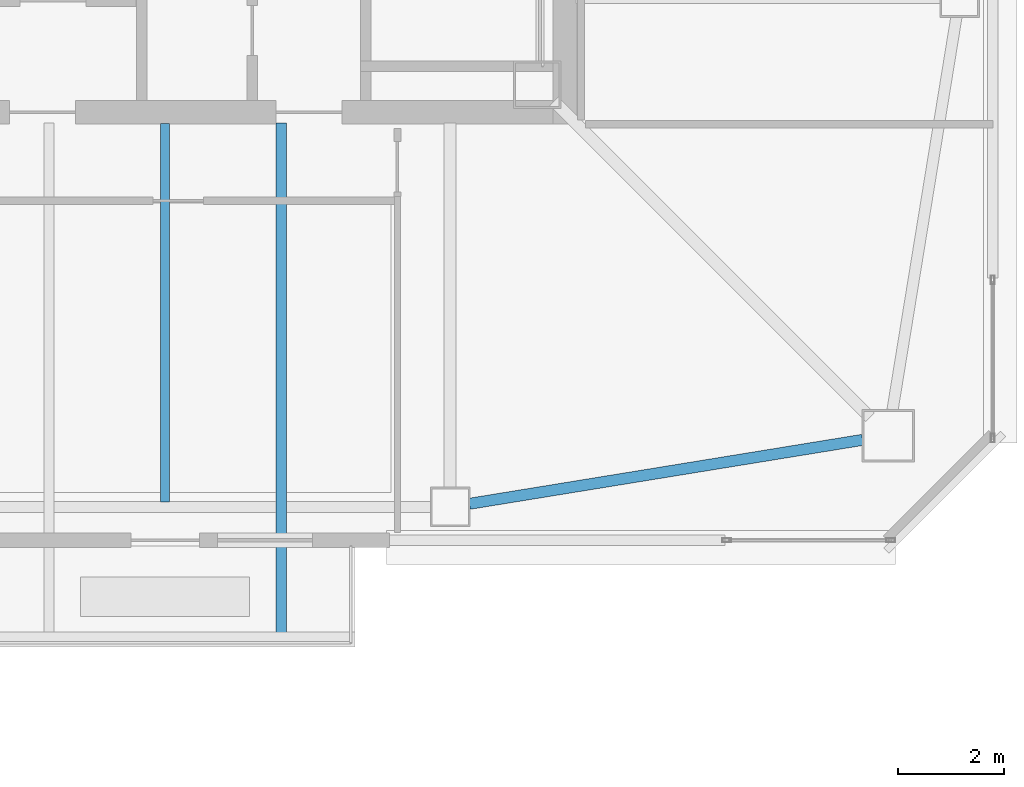
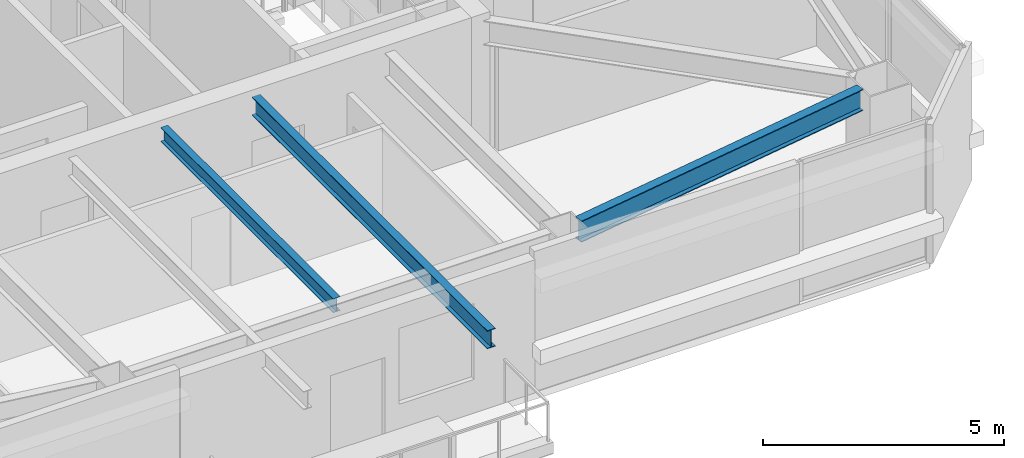
# One storey, part 6 of 36: 3 beams.
"""IFC4 building model written with IfcOpenShell, lengths in metres."""

from ifc_helpers import new_model, si_unit, direction, frame, origin, origin_2d, place, context, subcontext, project, spatial, i_section, extrude, material, material_profile, profile_set, type_object, element, save


model = new_model("IFC4")

# Units and contexts
model_context = context("Model", 3, precision=1e-05, world=origin(), true_north=direction((0.0, 1.0)))
body_context = subcontext(model_context, "Body", "Model", "MODEL_VIEW")
ifc_project = project(units=[si_unit("LENGTHUNIT", "METRE"), si_unit("AREAUNIT", "SQUARE_METRE"), si_unit("VOLUMEUNIT", "CUBIC_METRE"), si_unit("PLANEANGLEUNIT", "RADIAN"), si_unit("MASSUNIT", "GRAM", prefix="KILO")], contexts=[model_context])

# Site, building, storey
site_placement = place(None, origin())
site = spatial("IfcSite", under=ifc_project, at=site_placement, CompositionType="ELEMENT")
building_placement = place(site_placement, origin())
building = spatial("IfcBuilding", under=site, at=building_placement, Name="Tashvorn Skyway Center", CompositionType="ELEMENT")
storey_placement = place(building_placement, frame((0.0, 0.0, 236.14990234375)))
storey = spatial("IfcBuildingStorey", under=building, at=storey_placement, Name="L64", CompositionType="ELEMENT", Elevation=236.14990234375)

# Beams
ifc_material = material(Name="Steel ASTM A992 Grade 50", Category="steel")
ifc_material_profile_1 = material_profile(ifc_material, i_section(OverallWidth=0.1708984375, OverallDepth=0.35498046875, WebThickness=0.007080078125, FlangeThickness=0.01171875, at=origin_2d()), Name="W14X34")
ifc_profile_set_1 = profile_set([ifc_material_profile_1], Name="Steel ASTM A992 Grade 50")
beam_type_1 = type_object("IfcBeamType", Name="BM-JOIST-W14X34", PredefinedType="JOIST", material=ifc_profile_set_1)
beam_1_placement = place(storey_placement, frame((42.0, 24.2099609375, 3.192626953125), z_axis=(0.0, -1.0, 0.0), x_axis=(1.0, 0.0, 0.0)))
element("IfcBeam", 1, at=beam_1_placement, inside=storey, type_object=beam_type_1, Name="Tower 1 L64 Secondary Composite Joist JS", PredefinedType="JOIST", context=body_context, shape_type="SweptSolid", body=[
    extrude(i_section(OverallWidth=0.1708984375, OverallDepth=0.35498046875, WebThickness=0.007080078125, FlangeThickness=0.01171875, at=origin_2d()), origin(), (0.0, 0.0, 1.0), 7.162353515625),
])
ifc_material_profile_2 = material_profile(ifc_material, i_section(OverallWidth=0.19091796875, OverallDepth=0.4599609375, WebThickness=0.010009765625, FlangeThickness=0.01611328125, at=origin_2d()), Name="W18X55")
ifc_profile_set_2 = profile_set([ifc_material_profile_2], Name="Steel ASTM A992 Grade 50")
beam_type_2 = type_object("IfcBeamType", Name="BM-JOIST-W18X55", PredefinedType="JOIST", material=ifc_profile_set_2)
beam_2_placement = place(storey_placement, frame((44.199951171875, 24.219970703125, 3.14013671875), z_axis=(0.0, -1.0, 0.0), x_axis=(1.0, 0.0, 0.0)))
element("IfcBeam", 2, at=beam_2_placement, inside=storey, type_object=beam_type_2, Name="Tower 1 L65 Terrace Cantilever Outlooker 2", PredefinedType="JOIST", context=body_context, shape_type="SweptSolid", body=[
    extrude(i_section(OverallWidth=0.19091796875, OverallDepth=0.4599609375, WebThickness=0.010009765625, FlangeThickness=0.01611328125, at=origin_2d()), origin(), (0.0, 0.0, 1.0), 9.77001953125),
])
ifc_material_profile_3 = material_profile(ifc_material, i_section(OverallWidth=0.2109375, OverallDepth=0.5390625, WebThickness=0.01171875, FlangeThickness=0.018798828125, at=origin_2d()), Name="W21X73")
ifc_profile_set_3 = profile_set([ifc_material_profile_3], Name="Steel ASTM A992 Grade 50")
beam_type_3 = type_object("IfcBeamType", Name="BM-SPANDREL-W21X73", PredefinedType="SPANDREL", material=ifc_profile_set_3)
beam_3_placement = place(storey_placement, frame((47.76513671875, 17.009521484375, 3.1005859375), z_axis=(0.987033514444, 0.160514302677, 0.0), x_axis=(-0.160514302677, 0.987033514444, 0.0)))
element("IfcBeam", 3, at=beam_3_placement, inside=storey, type_object=beam_type_3, Name="Tower 1 L64 Spandrel Beam 03", PredefinedType="SPANDREL", context=body_context, shape_type="SweptSolid", body=[
    extrude(i_section(OverallWidth=0.2109375, OverallDepth=0.5390625, WebThickness=0.01171875, FlangeThickness=0.018798828125, at=origin_2d()), origin(), (0.0, 0.0, 1.0), 7.544189453125),
])

save(model, "model.ifc")
